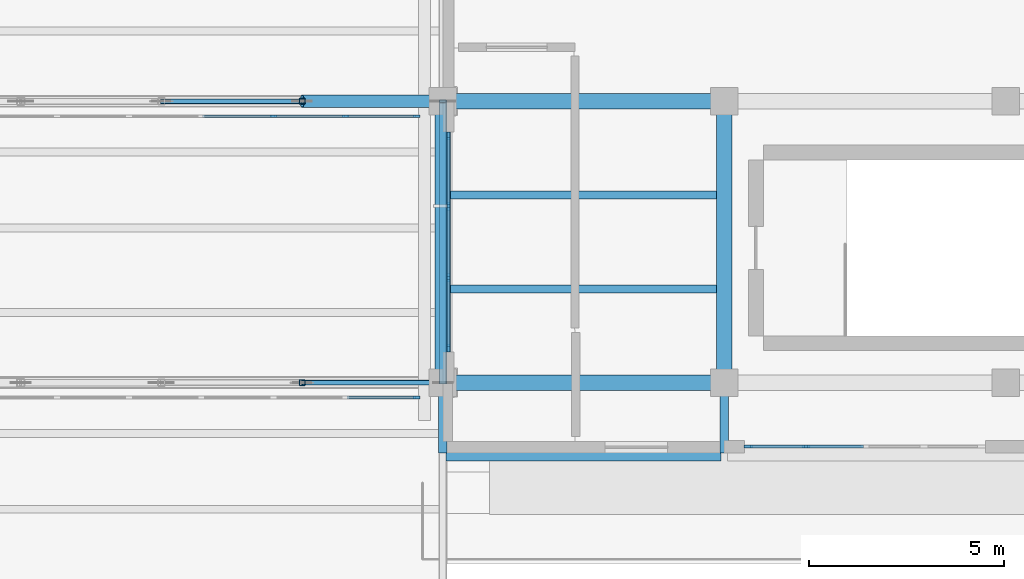
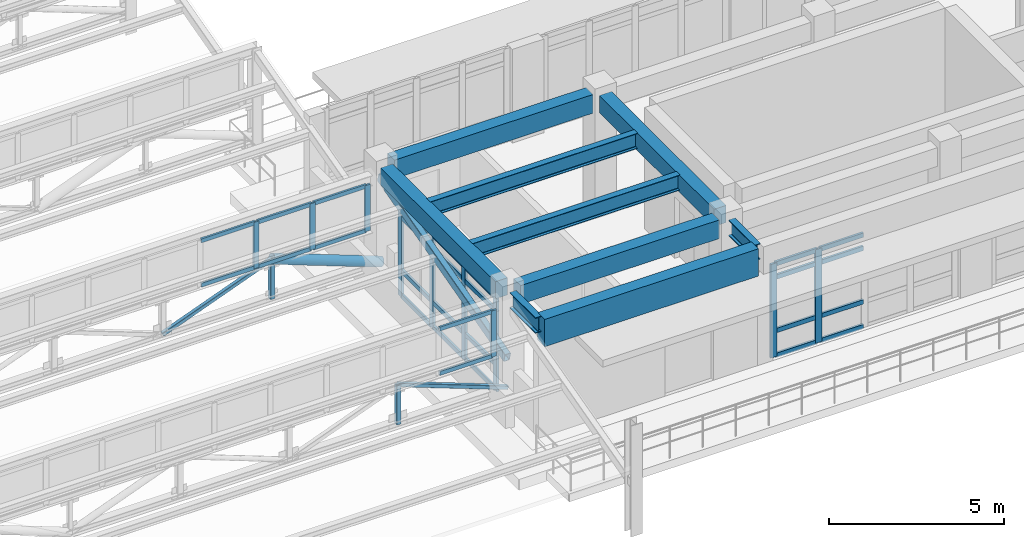
# One storey, part 7 of 55: 43 members, 10 beams, 4 elements without a shape of their own.
"""IFC4 building model written with IfcOpenShell, lengths in metres."""

from ifc_helpers import new_model, si_unit, direction, frame, origin, origin_2d, place, context, subcontext, project, spatial, rectangle, hollow_rectangle, hollow_circle, i_section, extrude, material, layer, layer_set, material_profile, profile_set, type_object, element, aggregate, save


model = new_model("IFC4")

# Units and contexts
model_context = context("Model", 3, precision=1e-05, world=origin(), true_north=direction((0.0, 1.0)))
body_context = subcontext(model_context, "Body", "Model", "MODEL_VIEW")
ifc_project = project(units=[si_unit("LENGTHUNIT", "METRE"), si_unit("AREAUNIT", "SQUARE_METRE"), si_unit("VOLUMEUNIT", "CUBIC_METRE"), si_unit("PLANEANGLEUNIT", "RADIAN"), si_unit("MASSUNIT", "GRAM", prefix="KILO")], contexts=[model_context])

# Site, building, storey
site_placement = place(None, origin())
site = spatial("IfcSite", under=ifc_project, at=site_placement, CompositionType="ELEMENT")
building_placement = place(site_placement, origin())
building = spatial("IfcBuilding", under=site, at=building_placement, Name="Solenvale Faculty of Natural Sciences", CompositionType="ELEMENT")
storey_placement = place(building_placement, frame((0.0, 0.0, 22.5)))
storey = spatial("IfcBuildingStorey", under=building, at=storey_placement, Name="L05", CompositionType="ELEMENT", Elevation=22.5)

# Beams
ifc_material_1 = material(Name="Steel S355", Category="steel")
ifc_material_profile_1 = material_profile(ifc_material_1, hollow_rectangle(XDim=0.202880859375, YDim=0.304931640625, WallThickness=0.0126953125, InnerFilletRadius=0.0126953125, OuterFilletRadius=0.025390625, at=origin_2d()), Name="HSS305x203x13")
ifc_profile_set_1 = profile_set([ifc_material_profile_1], Name="Steel S355")
beam_type_1 = type_object("IfcBeamType", Name="BM-RAF-HSS305", PredefinedType="BEAM", material=ifc_profile_set_1)
beam_1_placement = place(storey_placement, frame((57.60009765625, 21.60009765625, 1.719970703125), z_axis=(0.0, 0.965901991803, 0.258907980238), x_axis=(-1.0, 0.0, 0.0)))
element("IfcBeam", 1, at=beam_1_placement, inside=storey, type_object=beam_type_1, Name="V3 Sawtooth End Rafter 2.1.E", PredefinedType="BEAM", context=body_context, shape_type="SweptSolid", body=[
    extrude(hollow_rectangle(XDim=0.202880859375, YDim=0.304931640625, WallThickness=0.0126953125, InnerFilletRadius=0.0126953125, OuterFilletRadius=0.025390625, at=origin_2d()), origin(), (0.0, 0.0, 1.0), 7.4541015625),
])
ifc_material_2 = material(Name="Concrete 40 MPa", Category="concrete")
ifc_material_profile_2 = material_profile(ifc_material_2, rectangle(XDim=0.39990234375, YDim=0.60009765625, at=origin_2d()), Name="RC-BM-400x600")
ifc_profile_set_2 = profile_set([ifc_material_profile_2], Name="Concrete 40 MPa")
beam_type_2 = type_object("IfcBeamType", Name="BM-RC-400x600", PredefinedType="BEAM", material=ifc_profile_set_2)
for number, where, z_axis, x_axis, name in (
    (2, (57.60009765625, 21.929931640625, 3.919921875), (0.0, 1.0, 0.0), (-1.0, 0.0, 0.0), "L05 Y-Girder X57.6 (21.6..28.8)"),
    (3, (64.800048828125, 21.929931640625, 3.919921875), (0.0, 1.0, 0.0), (-1.0, 0.0, 0.0), "L05 Y-Girder X64.8 (21.6..28.8)"),
):
    element("IfcBeam", number, at=place(storey_placement, frame(where, z_axis=z_axis, x_axis=x_axis)), inside=storey, type_object=beam_type_2, Name=name, PredefinedType="BEAM", context=body_context, shape_type="SweptSolid", body=[
        extrude(rectangle(XDim=0.39990234375, YDim=0.60009765625, at=origin_2d()), origin(), (0.0, 0.0, 1.0), 6.5400390625),
    ])
ifc_material_profile_3 = material_profile(ifc_material_2, rectangle(XDim=0.39990234375, YDim=0.64990234375, at=origin_2d()), Name="RC-BM-400x650")
ifc_profile_set_3 = profile_set([ifc_material_profile_3], Name="Concrete 40 MPa")
beam_type_3 = type_object("IfcBeamType", Name="BM-RC-400x650", PredefinedType="BEAM", material=ifc_profile_set_3)
for number, where, z_axis, x_axis, name in (
    (4, (57.929931640625, 21.60009765625, 3.89501953125), (1.0, 0.0, 0.0), (0.0, 1.0, 0.0), "L05 X-Girder Y21.6 (57.6..64.8)"),
    (5, (57.929931640625, 28.800048828125, 3.89501953125), (1.0, 0.0, 0.0), (0.0, 1.0, 0.0), "L05 X-Girder Y28.8 (57.6..64.8)"),
):
    element("IfcBeam", number, at=place(storey_placement, frame(where, z_axis=z_axis, x_axis=x_axis)), inside=storey, type_object=beam_type_3, Name=name, PredefinedType="BEAM", context=body_context, shape_type="SweptSolid", body=[
        extrude(rectangle(XDim=0.39990234375, YDim=0.64990234375, at=origin_2d()), origin(), (0.0, 0.0, 1.0), 6.5400390625),
    ])
ifc_material_3 = material(Name="Architectural bronze concrete 40 MPa", Category="concrete")
ifc_material_profile_4 = material_profile(ifc_material_3, rectangle(XDim=0.39990234375, YDim=0.949951171875, at=origin_2d()), Name="RC-SPN-400x950")
ifc_profile_set_4 = profile_set([ifc_material_profile_4], Name="Architectural bronze concrete 40 MPa")
beam_type_4 = type_object("IfcBeamType", Name="BM-SPN-BRZ-950", PredefinedType="SPANDREL", material=ifc_profile_set_4)
beam_2_placement = place(storey_placement, frame((57.679931640625, 19.800048828125, 3.7451171875), z_axis=(1.0, 0.0, 0.0), x_axis=(0.0, 1.0, 0.0)))
element("IfcBeam", 6, at=beam_2_placement, inside=storey, type_object=beam_type_4, Name="L06 Sliding-Tray South Bronze Fascia 1", PredefinedType="SPANDREL", context=body_context, shape_type="SweptSolid", body=[
    extrude(rectangle(XDim=0.39990234375, YDim=0.949951171875, at=origin_2d()), origin(), (0.0, 0.0, 1.0), 7.0400390625),
])
ifc_material_profile_5 = material_profile(ifc_material_1, i_section(OverallWidth=0.2119140625, OverallDepth=0.5439453125, WebThickness=0.01318359375, FlangeThickness=0.021240234375, FilletRadius=0.01904296875, at=origin_2d()), Name="W530x123")
ifc_profile_set_5 = profile_set([ifc_material_profile_5], Name="Steel S355")
beam_type_5 = type_object("IfcBeamType", Name="BM-STL-W530x123", PredefinedType="BEAM", material=ifc_profile_set_5)
for number, where, z_axis, x_axis, name in (
    (7, (64.800048828125, 21.27001953125, 3.947998046875), (0.0, -1.0, 0.0), (1.0, 0.0, 0.0), "L05 V4 Cantilever Tray Girder X64.8"),
    (8, (57.60009765625, 21.27001953125, 3.947998046875), (0.0, -1.0, 0.0), (1.0, 0.0, 0.0), "L05 V4 Cantilever Tray Girder X57.6"),
):
    element("IfcBeam", number, at=place(storey_placement, frame(where, z_axis=z_axis, x_axis=x_axis)), inside=storey, type_object=beam_type_5, Name=name, PredefinedType="BEAM", context=body_context, shape_type="SweptSolid", body=[
        extrude(i_section(OverallWidth=0.2119140625, OverallDepth=0.5439453125, WebThickness=0.01318359375, FlangeThickness=0.021240234375, FilletRadius=0.01904296875, at=origin_2d()), origin(), (0.0, 0.0, 1.0), 1.469970703125),
    ])
ifc_material_profile_6 = material_profile(ifc_material_1, i_section(OverallWidth=0.208984375, OverallDepth=0.532958984375, WebThickness=0.01025390625, FlangeThickness=0.015625, FilletRadius=0.01904296875, at=origin_2d()), Name="W530x92")
ifc_profile_set_6 = profile_set([ifc_material_profile_6], Name="Steel S355")
beam_type_6 = type_object("IfcBeamType", Name="BM-STL-W530x92", PredefinedType="JOIST", material=ifc_profile_set_6)
for number, where, z_axis, x_axis, name in (
    (9, (57.780029296875, 24.0, 3.95361328125), (1.0, 0.0, 0.0), (0.0, 1.0, 0.0), "L05 Composite Floor Joist (9,4).1"),
    (10, (57.780029296875, 26.39990234375, 3.95361328125), (1.0, 0.0, 0.0), (0.0, 1.0, 0.0), "L05 Composite Floor Joist (9,4).2"),
):
    element("IfcBeam", number, at=place(storey_placement, frame(where, z_axis=z_axis, x_axis=x_axis)), inside=storey, type_object=beam_type_6, Name=name, PredefinedType="JOIST", context=body_context, shape_type="SweptSolid", body=[
        extrude(i_section(OverallWidth=0.208984375, OverallDepth=0.532958984375, WebThickness=0.01025390625, FlangeThickness=0.015625, FilletRadius=0.01904296875, at=origin_2d()), origin(), (0.0, 0.0, 1.0), 6.840087890625),
    ])

# Curtain wall, member
ifc_material_4 = material(Name="Anodised bronze aluminium", Category="aluminium")
ifc_layer_1 = layer(ifc_material_4, 0.1650390625)
ifc_layer_set_1 = layer_set([ifc_layer_1], Name="Anodised bronze aluminium")
curtain_wall_type_1 = type_object("IfcCurtainWallType", Name="CW-SAW-CLR", PredefinedType="USERDEFINED", material=ifc_layer_set_1)
curtain_wall_1_placement = place(storey_placement, origin())
curtain_wall_1 = element("IfcCurtainWall", 11, at=curtain_wall_1_placement, inside=storey, type_object=curtain_wall_type_1, Name="L05 Curtain Wall SAW-V3-CW-1-1", ObjectType="NORTH LIGHT CLERESTORY", PredefinedType="USERDEFINED")
ifc_material_profile_7 = material_profile(ifc_material_4, rectangle(XDim=0.06494140625, YDim=0.175048828125, at=origin_2d()), Name="ALU-MUL-65x175")
ifc_profile_set_7 = profile_set([ifc_material_profile_7], Name="Anodised bronze aluminium")
member_type_1 = type_object("IfcMemberType", Name="CWM-ALU-65x175", PredefinedType="MULLION", material=ifc_profile_set_7)
member_1_placement = place(storey_placement, frame((56.927490234375, 21.219970703125, 2.22998046875), z_axis=(0.0, 0.0, 1.0), x_axis=(0.0, -1.0, 0.0)))
member_1 = element("IfcMember", 12, at=member_1_placement, type_object=member_type_1, Name="CW-05 mullion 1", PredefinedType="MULLION", context=body_context, shape_type="SweptSolid", body=[
    extrude(rectangle(XDim=0.06494140625, YDim=0.175048828125, at=origin_2d()), origin(), (0.0, 0.0, 1.0), 1.610107421875),
])

# Curtain wall, members
curtain_wall_2_placement = place(storey_placement, origin())
curtain_wall_2 = element("IfcCurtainWall", 13, at=curtain_wall_2_placement, inside=storey, type_object=curtain_wall_type_1, Name="L05 Curtain Wall SAW-V3-CW-2-1", ObjectType="NORTH LIGHT CLERESTORY", PredefinedType="USERDEFINED")
member_2_placement = place(storey_placement, frame((56.927490234375, 28.419921875, 2.22998046875), z_axis=(0.0, 0.0, 1.0), x_axis=(0.0, -1.0, 0.0)))
member_2 = element("IfcMember", 14, at=member_2_placement, type_object=member_type_1, Name="CW-05 mullion 1", PredefinedType="MULLION", context=body_context, shape_type="SweptSolid", body=[
    extrude(rectangle(XDim=0.06494140625, YDim=0.175048828125, at=origin_2d()), origin(), (0.0, 0.0, 1.0), 1.610107421875),
])
member_3_placement = place(storey_placement, frame((55.11279296875, 28.419921875, 2.22998046875), z_axis=(0.0, 0.0, 1.0), x_axis=(0.0, -1.0, 0.0)))
member_3 = element("IfcMember", 15, at=member_3_placement, type_object=member_type_1, Name="CW-05 mullion 2", PredefinedType="MULLION", context=body_context, shape_type="SweptSolid", body=[
    extrude(rectangle(XDim=0.06494140625, YDim=0.175048828125, at=origin_2d()), origin(), (0.0, 0.0, 1.0), 1.610107421875),
])
member_4_placement = place(storey_placement, frame((53.265380859375, 28.419921875, 2.22998046875), z_axis=(0.0, 0.0, 1.0), x_axis=(0.0, -1.0, 0.0)))
member_4 = element("IfcMember", 16, at=member_4_placement, type_object=member_type_1, Name="CW-05 mullion 3", PredefinedType="MULLION", context=body_context, shape_type="SweptSolid", body=[
    extrude(rectangle(XDim=0.06494140625, YDim=0.175048828125, at=origin_2d()), origin(), (0.0, 0.0, 1.0), 1.610107421875),
])

ifc_layer_2 = layer(ifc_material_4, 0.215087890625)
ifc_layer_set_2 = layer_set([ifc_layer_2], Name="Anodised bronze aluminium")
curtain_wall_type_2 = type_object("IfcCurtainWallType", Name="CW-ATR-UNIT", PredefinedType="USERDEFINED", material=ifc_layer_set_2)
curtain_wall_3_placement = place(storey_placement, origin())
curtain_wall_3 = element("IfcCurtainWall", 17, at=curtain_wall_3_placement, inside=storey, type_object=curtain_wall_type_2, Name="L05 Curtain Wall CW-L05-P1-E3-B2", ObjectType="UNITISED CURTAIN WALL", PredefinedType="USERDEFINED")
ifc_material_profile_8 = material_profile(ifc_material_4, rectangle(XDim=0.074951171875, YDim=0.2099609375, at=origin_2d()), Name="ALU-MUL-75x210")
ifc_profile_set_8 = profile_set([ifc_material_profile_8], Name="Anodised bronze aluminium")
member_type_2 = type_object("IfcMemberType", Name="CWM-ALU-75x210", PredefinedType="MULLION", material=ifc_profile_set_8)
member_5_placement = place(storey_placement, frame((57.742431640625, 27.91259765625, 0.0), z_axis=(0.0, 0.0, 1.0), x_axis=(1.0, 0.0, 0.0)))
member_5 = element("IfcMember", 18, at=member_5_placement, type_object=member_type_2, Name="CW-01 mullion 1", PredefinedType="MULLION", context=body_context, shape_type="SweptSolid", body=[
    extrude(rectangle(XDim=0.074951171875, YDim=0.2099609375, at=origin_2d()), origin(), (0.0, 0.0, 1.0), 3.260009765625),
])
member_6_placement = place(storey_placement, frame((57.742431640625, 26.11669921875, 0.0), z_axis=(0.0, 0.0, 1.0), x_axis=(1.0, 0.0, 0.0)))
member_6 = element("IfcMember", 19, at=member_6_placement, type_object=member_type_2, Name="CW-01 mullion 2", PredefinedType="MULLION", context=body_context, shape_type="SweptSolid", body=[
    extrude(rectangle(XDim=0.074951171875, YDim=0.2099609375, at=origin_2d()), origin(), (0.0, 0.0, 1.0), 3.260009765625),
])
member_7_placement = place(storey_placement, frame((57.742431640625, 24.283447265625, 0.0), z_axis=(0.0, 0.0, 1.0), x_axis=(1.0, 0.0, 0.0)))
member_7 = element("IfcMember", 20, at=member_7_placement, type_object=member_type_2, Name="CW-01 mullion 3", PredefinedType="MULLION", context=body_context, shape_type="SweptSolid", body=[
    extrude(rectangle(XDim=0.074951171875, YDim=0.2099609375, at=origin_2d()), origin(), (0.0, 0.0, 1.0), 3.260009765625),
])
member_8_placement = place(storey_placement, frame((57.742431640625, 22.487548828125, 0.0), z_axis=(0.0, 0.0, 1.0), x_axis=(1.0, 0.0, 0.0)))
member_8 = element("IfcMember", 21, at=member_8_placement, type_object=member_type_2, Name="CW-01 mullion 4", PredefinedType="MULLION", context=body_context, shape_type="SweptSolid", body=[
    extrude(rectangle(XDim=0.074951171875, YDim=0.2099609375, at=origin_2d()), origin(), (0.0, 0.0, 1.0), 3.260009765625),
])

ifc_layer_3 = layer(ifc_material_4, 0.18994140625)
ifc_layer_set_3 = layer_set([ifc_layer_3], Name="Anodised bronze aluminium")
curtain_wall_type_3 = type_object("IfcCurtainWallType", Name="CW-TRAY-REC", PredefinedType="USERDEFINED", material=ifc_layer_set_3)
curtain_wall_4_placement = place(storey_placement, origin())
curtain_wall_4 = element("IfcCurtainWall", 22, at=curtain_wall_4_placement, inside=storey, type_object=curtain_wall_type_3, Name="L05 Curtain Wall CW-L05-P1-E4-B2", ObjectType="UNITISED CURTAIN WALL", PredefinedType="USERDEFINED")
member_9_placement = place(storey_placement, frame((65.41748046875, 19.96240234375, 0.0), z_axis=(0.0, 0.0, 1.0), x_axis=(0.0, 1.0, 0.0)))
member_9 = element("IfcMember", 23, at=member_9_placement, type_object=member_type_2, Name="CW-02 mullion 1", PredefinedType="MULLION", context=body_context, shape_type="SweptSolid", body=[
    extrude(rectangle(XDim=0.074951171875, YDim=0.2099609375, at=origin_2d()), origin(), (0.0, 0.0, 1.0), 3.260009765625),
])
member_10_placement = place(storey_placement, frame((66.889892578125, 19.96240234375, 0.0), z_axis=(0.0, 0.0, 1.0), x_axis=(0.0, 1.0, 0.0)))
member_10 = element("IfcMember", 24, at=member_10_placement, type_object=member_type_2, Name="CW-02 mullion 2", PredefinedType="MULLION", context=body_context, shape_type="SweptSolid", body=[
    extrude(rectangle(XDim=0.074951171875, YDim=0.2099609375, at=origin_2d()), origin(), (0.0, 0.0, 1.0), 3.260009765625),
])

# Member
ifc_material_profile_9 = material_profile(ifc_material_4, rectangle(XDim=0.06494140625, YDim=0.135009765625, at=origin_2d()), Name="ALU-TRN-65x135")
ifc_profile_set_9 = profile_set([ifc_material_profile_9], Name="Anodised bronze aluminium")
member_type_3 = type_object("IfcMemberType", Name="CWT-ALU-65x135", PredefinedType="USERDEFINED", material=ifc_profile_set_9)
member_11_placement = place(storey_placement, frame((56.89501953125, 21.219970703125, 2.262451171875), z_axis=(-1.0, 0.0, 0.0), x_axis=(0.0, -1.0, 0.0)))
member_11 = element("IfcMember", 25, at=member_11_placement, type_object=member_type_3, Name="CW-05 transom 1.1", ObjectType="TRANSOM", PredefinedType="USERDEFINED", context=body_context, shape_type="SweptSolid", body=[
    extrude(rectangle(XDim=0.06494140625, YDim=0.135009765625, at=origin_2d()), origin(), (0.0, 0.0, 1.0), 1.749755859375),
])

member_12_placement = place(storey_placement, frame((56.89501953125, 21.219970703125, 3.8076171875), z_axis=(-1.0, 0.0, 0.0), x_axis=(0.0, -1.0, 0.0)))
member_12 = element("IfcMember", 26, at=member_12_placement, type_object=member_type_3, Name="CW-05 transom 1.2", ObjectType="TRANSOM", PredefinedType="USERDEFINED", context=body_context, shape_type="SweptSolid", body=[
    extrude(rectangle(XDim=0.06494140625, YDim=0.135009765625, at=origin_2d()), origin(), (0.0, 0.0, 1.0), 1.749755859375),
])

aggregate(curtain_wall_1, [member_1, member_11, member_12])

member_13_placement = place(storey_placement, frame((56.89501953125, 28.419921875, 2.262451171875), z_axis=(-1.0, 0.0, 0.0), x_axis=(0.0, -1.0, 0.0)))
member_13 = element("IfcMember", 27, at=member_13_placement, type_object=member_type_3, Name="CW-05 transom 1.1", ObjectType="TRANSOM", PredefinedType="USERDEFINED", context=body_context, shape_type="SweptSolid", body=[
    extrude(rectangle(XDim=0.06494140625, YDim=0.135009765625, at=origin_2d()), origin(), (0.0, 0.0, 1.0), 1.749755859375),
])

member_14_placement = place(storey_placement, frame((56.89501953125, 28.419921875, 3.8076171875), z_axis=(-1.0, 0.0, 0.0), x_axis=(0.0, -1.0, 0.0)))
member_14 = element("IfcMember", 28, at=member_14_placement, type_object=member_type_3, Name="CW-05 transom 1.2", ObjectType="TRANSOM", PredefinedType="USERDEFINED", context=body_context, shape_type="SweptSolid", body=[
    extrude(rectangle(XDim=0.06494140625, YDim=0.135009765625, at=origin_2d()), origin(), (0.0, 0.0, 1.0), 1.749755859375),
])

member_15_placement = place(storey_placement, frame((55.080322265625, 28.419921875, 2.262451171875), z_axis=(-1.0, 0.0, 0.0), x_axis=(0.0, -1.0, 0.0)))
member_15 = element("IfcMember", 29, at=member_15_placement, type_object=member_type_3, Name="CW-05 transom 2.1", ObjectType="TRANSOM", PredefinedType="USERDEFINED", context=body_context, shape_type="SweptSolid", body=[
    extrude(rectangle(XDim=0.06494140625, YDim=0.135009765625, at=origin_2d()), origin(), (0.0, 0.0, 1.0), 1.782470703125),
])

member_16_placement = place(storey_placement, frame((55.080322265625, 28.419921875, 3.8076171875), z_axis=(-1.0, 0.0, 0.0), x_axis=(0.0, -1.0, 0.0)))
member_16 = element("IfcMember", 30, at=member_16_placement, type_object=member_type_3, Name="CW-05 transom 2.2", ObjectType="TRANSOM", PredefinedType="USERDEFINED", context=body_context, shape_type="SweptSolid", body=[
    extrude(rectangle(XDim=0.06494140625, YDim=0.135009765625, at=origin_2d()), origin(), (0.0, 0.0, 1.0), 1.782470703125),
])

member_17_placement = place(storey_placement, frame((53.23291015625, 28.419921875, 2.262451171875), z_axis=(-1.0, 0.0, 0.0), x_axis=(0.0, -1.0, 0.0)))
member_17 = element("IfcMember", 31, at=member_17_placement, type_object=member_type_3, Name="CW-05 transom 3.1", ObjectType="TRANSOM", PredefinedType="USERDEFINED", context=body_context, shape_type="SweptSolid", body=[
    extrude(rectangle(XDim=0.06494140625, YDim=0.135009765625, at=origin_2d()), origin(), (0.0, 0.0, 1.0), 1.7822265625),
])

member_18_placement = place(storey_placement, frame((53.23291015625, 28.419921875, 3.8076171875), z_axis=(-1.0, 0.0, 0.0), x_axis=(0.0, -1.0, 0.0)))
member_18 = element("IfcMember", 32, at=member_18_placement, type_object=member_type_3, Name="CW-05 transom 3.2", ObjectType="TRANSOM", PredefinedType="USERDEFINED", context=body_context, shape_type="SweptSolid", body=[
    extrude(rectangle(XDim=0.06494140625, YDim=0.135009765625, at=origin_2d()), origin(), (0.0, 0.0, 1.0), 1.7822265625),
])

aggregate(curtain_wall_2, [member_2, member_3, member_4, member_13, member_14, member_15, member_16, member_17, member_18])

ifc_material_profile_10 = material_profile(ifc_material_4, rectangle(XDim=0.074951171875, YDim=0.155029296875, at=origin_2d()), Name="ALU-TRN-75x155")
ifc_profile_set_10 = profile_set([ifc_material_profile_10], Name="Anodised bronze aluminium")
member_type_4 = type_object("IfcMemberType", Name="CWT-ALU-75x155", PredefinedType="USERDEFINED", material=ifc_profile_set_10)
member_19_placement = place(storey_placement, frame((57.742431640625, 27.875, 0.03759765625), z_axis=(0.0, -1.0, 0.0), x_axis=(1.0, 0.0, 0.0)))
member_19 = element("IfcMember", 33, at=member_19_placement, type_object=member_type_4, Name="CW-01 transom 1.1", ObjectType="TRANSOM", PredefinedType="USERDEFINED", context=body_context, shape_type="SweptSolid", body=[
    extrude(rectangle(XDim=0.074951171875, YDim=0.155029296875, at=origin_2d()), origin(), (0.0, 0.0, 1.0), 1.720947265625),
])

member_20_placement = place(storey_placement, frame((57.742431640625, 27.875, 0.89990234375), z_axis=(0.0, -1.0, 0.0), x_axis=(1.0, 0.0, 0.0)))
member_20 = element("IfcMember", 34, at=member_20_placement, type_object=member_type_4, Name="CW-01 transom 1.2", ObjectType="TRANSOM", PredefinedType="USERDEFINED", context=body_context, shape_type="SweptSolid", body=[
    extrude(rectangle(XDim=0.074951171875, YDim=0.155029296875, at=origin_2d()), origin(), (0.0, 0.0, 1.0), 1.720947265625),
])

member_21_placement = place(storey_placement, frame((57.742431640625, 27.875, 2.760009765625), z_axis=(0.0, -1.0, 0.0), x_axis=(1.0, 0.0, 0.0)))
member_21 = element("IfcMember", 35, at=member_21_placement, type_object=member_type_4, Name="CW-01 transom 1.3", ObjectType="TRANSOM", PredefinedType="USERDEFINED", context=body_context, shape_type="SweptSolid", body=[
    extrude(rectangle(XDim=0.074951171875, YDim=0.155029296875, at=origin_2d()), origin(), (0.0, 0.0, 1.0), 1.720947265625),
])

member_22_placement = place(storey_placement, frame((57.742431640625, 27.875, 3.222412109375), z_axis=(0.0, -1.0, 0.0), x_axis=(1.0, 0.0, 0.0)))
member_22 = element("IfcMember", 36, at=member_22_placement, type_object=member_type_4, Name="CW-01 transom 1.4", ObjectType="TRANSOM", PredefinedType="USERDEFINED", context=body_context, shape_type="SweptSolid", body=[
    extrude(rectangle(XDim=0.074951171875, YDim=0.155029296875, at=origin_2d()), origin(), (0.0, 0.0, 1.0), 1.720947265625),
])

member_23_placement = place(storey_placement, frame((57.742431640625, 26.0791015625, 0.03759765625), z_axis=(0.0, -1.0, 0.0), x_axis=(1.0, 0.0, 0.0)))
member_23 = element("IfcMember", 37, at=member_23_placement, type_object=member_type_4, Name="CW-01 transom 2.1", ObjectType="TRANSOM", PredefinedType="USERDEFINED", context=body_context, shape_type="SweptSolid", body=[
    extrude(rectangle(XDim=0.074951171875, YDim=0.155029296875, at=origin_2d()), origin(), (0.0, 0.0, 1.0), 1.75830078125),
])

member_24_placement = place(storey_placement, frame((57.742431640625, 26.0791015625, 0.89990234375), z_axis=(0.0, -1.0, 0.0), x_axis=(1.0, 0.0, 0.0)))
member_24 = element("IfcMember", 38, at=member_24_placement, type_object=member_type_4, Name="CW-01 transom 2.2", ObjectType="TRANSOM", PredefinedType="USERDEFINED", context=body_context, shape_type="SweptSolid", body=[
    extrude(rectangle(XDim=0.074951171875, YDim=0.155029296875, at=origin_2d()), origin(), (0.0, 0.0, 1.0), 1.75830078125),
])

member_25_placement = place(storey_placement, frame((57.742431640625, 26.0791015625, 2.760009765625), z_axis=(0.0, -1.0, 0.0), x_axis=(1.0, 0.0, 0.0)))
member_25 = element("IfcMember", 39, at=member_25_placement, type_object=member_type_4, Name="CW-01 transom 2.3", ObjectType="TRANSOM", PredefinedType="USERDEFINED", context=body_context, shape_type="SweptSolid", body=[
    extrude(rectangle(XDim=0.074951171875, YDim=0.155029296875, at=origin_2d()), origin(), (0.0, 0.0, 1.0), 1.75830078125),
])

member_26_placement = place(storey_placement, frame((57.742431640625, 26.0791015625, 3.222412109375), z_axis=(0.0, -1.0, 0.0), x_axis=(1.0, 0.0, 0.0)))
member_26 = element("IfcMember", 40, at=member_26_placement, type_object=member_type_4, Name="CW-01 transom 2.4", ObjectType="TRANSOM", PredefinedType="USERDEFINED", context=body_context, shape_type="SweptSolid", body=[
    extrude(rectangle(XDim=0.074951171875, YDim=0.155029296875, at=origin_2d()), origin(), (0.0, 0.0, 1.0), 1.75830078125),
])

member_27_placement = place(storey_placement, frame((57.742431640625, 24.245849609375, 0.03759765625), z_axis=(0.0, -1.0, 0.0), x_axis=(1.0, 0.0, 0.0)))
member_27 = element("IfcMember", 41, at=member_27_placement, type_object=member_type_4, Name="CW-01 transom 3.1", ObjectType="TRANSOM", PredefinedType="USERDEFINED", context=body_context, shape_type="SweptSolid", body=[
    extrude(rectangle(XDim=0.074951171875, YDim=0.155029296875, at=origin_2d()), origin(), (0.0, 0.0, 1.0), 1.720947265625),
])

member_28_placement = place(storey_placement, frame((57.742431640625, 24.245849609375, 0.89990234375), z_axis=(0.0, -1.0, 0.0), x_axis=(1.0, 0.0, 0.0)))
member_28 = element("IfcMember", 42, at=member_28_placement, type_object=member_type_4, Name="CW-01 transom 3.2", ObjectType="TRANSOM", PredefinedType="USERDEFINED", context=body_context, shape_type="SweptSolid", body=[
    extrude(rectangle(XDim=0.074951171875, YDim=0.155029296875, at=origin_2d()), origin(), (0.0, 0.0, 1.0), 1.720947265625),
])

member_29_placement = place(storey_placement, frame((57.742431640625, 24.245849609375, 2.760009765625), z_axis=(0.0, -1.0, 0.0), x_axis=(1.0, 0.0, 0.0)))
member_29 = element("IfcMember", 43, at=member_29_placement, type_object=member_type_4, Name="CW-01 transom 3.3", ObjectType="TRANSOM", PredefinedType="USERDEFINED", context=body_context, shape_type="SweptSolid", body=[
    extrude(rectangle(XDim=0.074951171875, YDim=0.155029296875, at=origin_2d()), origin(), (0.0, 0.0, 1.0), 1.720947265625),
])

member_30_placement = place(storey_placement, frame((57.742431640625, 24.245849609375, 3.222412109375), z_axis=(0.0, -1.0, 0.0), x_axis=(1.0, 0.0, 0.0)))
member_30 = element("IfcMember", 44, at=member_30_placement, type_object=member_type_4, Name="CW-01 transom 3.4", ObjectType="TRANSOM", PredefinedType="USERDEFINED", context=body_context, shape_type="SweptSolid", body=[
    extrude(rectangle(XDim=0.074951171875, YDim=0.155029296875, at=origin_2d()), origin(), (0.0, 0.0, 1.0), 1.720947265625),
])

aggregate(curtain_wall_3, [member_5, member_6, member_7, member_8, member_19, member_20, member_21, member_22, member_23, member_24, member_25, member_26, member_27, member_28, member_29, member_30])

member_31_placement = place(storey_placement, frame((65.455078125, 19.96240234375, 0.03759765625), z_axis=(1.0, 0.0, 0.0), x_axis=(0.0, 1.0, 0.0)))
member_31 = element("IfcMember", 45, at=member_31_placement, type_object=member_type_4, Name="CW-02 transom 1.1", ObjectType="TRANSOM", PredefinedType="USERDEFINED", context=body_context, shape_type="SweptSolid", body=[
    extrude(rectangle(XDim=0.074951171875, YDim=0.155029296875, at=origin_2d()), origin(), (0.0, 0.0, 1.0), 1.3974609375),
])

member_32_placement = place(storey_placement, frame((65.455078125, 19.96240234375, 0.89990234375), z_axis=(1.0, 0.0, 0.0), x_axis=(0.0, 1.0, 0.0)))
member_32 = element("IfcMember", 46, at=member_32_placement, type_object=member_type_4, Name="CW-02 transom 1.2", ObjectType="TRANSOM", PredefinedType="USERDEFINED", context=body_context, shape_type="SweptSolid", body=[
    extrude(rectangle(XDim=0.074951171875, YDim=0.155029296875, at=origin_2d()), origin(), (0.0, 0.0, 1.0), 1.3974609375),
])

member_33_placement = place(storey_placement, frame((65.455078125, 19.96240234375, 2.760009765625), z_axis=(1.0, 0.0, 0.0), x_axis=(0.0, 1.0, 0.0)))
member_33 = element("IfcMember", 47, at=member_33_placement, type_object=member_type_4, Name="CW-02 transom 1.3", ObjectType="TRANSOM", PredefinedType="USERDEFINED", context=body_context, shape_type="SweptSolid", body=[
    extrude(rectangle(XDim=0.074951171875, YDim=0.155029296875, at=origin_2d()), origin(), (0.0, 0.0, 1.0), 1.3974609375),
])

member_34_placement = place(storey_placement, frame((65.455078125, 19.96240234375, 3.222412109375), z_axis=(1.0, 0.0, 0.0), x_axis=(0.0, 1.0, 0.0)))
member_34 = element("IfcMember", 48, at=member_34_placement, type_object=member_type_4, Name="CW-02 transom 1.4", ObjectType="TRANSOM", PredefinedType="USERDEFINED", context=body_context, shape_type="SweptSolid", body=[
    extrude(rectangle(XDim=0.074951171875, YDim=0.155029296875, at=origin_2d()), origin(), (0.0, 0.0, 1.0), 1.3974609375),
])

member_35_placement = place(storey_placement, frame((66.927490234375, 19.96240234375, 0.03759765625), z_axis=(1.0, 0.0, 0.0), x_axis=(0.0, 1.0, 0.0)))
member_35 = element("IfcMember", 49, at=member_35_placement, type_object=member_type_4, Name="CW-02 transom 2.1", ObjectType="TRANSOM", PredefinedType="USERDEFINED", context=body_context, shape_type="SweptSolid", body=[
    extrude(rectangle(XDim=0.074951171875, YDim=0.155029296875, at=origin_2d()), origin(), (0.0, 0.0, 1.0), 1.43505859375),
])

member_36_placement = place(storey_placement, frame((66.927490234375, 19.96240234375, 0.89990234375), z_axis=(1.0, 0.0, 0.0), x_axis=(0.0, 1.0, 0.0)))
member_36 = element("IfcMember", 50, at=member_36_placement, type_object=member_type_4, Name="CW-02 transom 2.2", ObjectType="TRANSOM", PredefinedType="USERDEFINED", context=body_context, shape_type="SweptSolid", body=[
    extrude(rectangle(XDim=0.074951171875, YDim=0.155029296875, at=origin_2d()), origin(), (0.0, 0.0, 1.0), 1.43505859375),
])

member_37_placement = place(storey_placement, frame((66.927490234375, 19.96240234375, 2.760009765625), z_axis=(1.0, 0.0, 0.0), x_axis=(0.0, 1.0, 0.0)))
member_37 = element("IfcMember", 51, at=member_37_placement, type_object=member_type_4, Name="CW-02 transom 2.3", ObjectType="TRANSOM", PredefinedType="USERDEFINED", context=body_context, shape_type="SweptSolid", body=[
    extrude(rectangle(XDim=0.074951171875, YDim=0.155029296875, at=origin_2d()), origin(), (0.0, 0.0, 1.0), 1.43505859375),
])

member_38_placement = place(storey_placement, frame((66.927490234375, 19.96240234375, 3.222412109375), z_axis=(1.0, 0.0, 0.0), x_axis=(0.0, 1.0, 0.0)))
member_38 = element("IfcMember", 52, at=member_38_placement, type_object=member_type_4, Name="CW-02 transom 2.4", ObjectType="TRANSOM", PredefinedType="USERDEFINED", context=body_context, shape_type="SweptSolid", body=[
    extrude(rectangle(XDim=0.074951171875, YDim=0.155029296875, at=origin_2d()), origin(), (0.0, 0.0, 1.0), 1.43505859375),
])

aggregate(curtain_wall_4, [member_9, member_10, member_31, member_32, member_33, member_34, member_35, member_36, member_37, member_38])

# Members
ifc_material_profile_11 = material_profile(ifc_material_1, hollow_circle(Radius=0.161865234375, WallThickness=0.0126953125, at=origin_2d()), Name="HSS324x13")
ifc_profile_set_11 = profile_set([ifc_material_profile_11], Name="Steel S355")
member_type_5 = type_object("IfcMemberType", Name="MB-BRC-CHS324", PredefinedType="BRACE", material=ifc_profile_set_11)
member_39_placement = place(storey_placement, frame((54.0, 28.800048828125, 2.050048828125), z_axis=(0.935466034784, 0.0, -0.353416606522), x_axis=(0.0, 1.0, 0.0)))
element("IfcMember", 53, at=member_39_placement, inside=storey, type_object=member_type_5, Name="V3 Truss 2.1 Diagonal 6", PredefinedType="BRACE", context=body_context, shape_type="SweptSolid", body=[
    extrude(hollow_circle(Radius=0.161865234375, WallThickness=0.0126953125, at=origin_2d()), origin(), (0.0, 0.0, 1.0), 3.848388671875),
])
ifc_material_profile_12 = material_profile(ifc_material_1, hollow_rectangle(XDim=0.126953125, YDim=0.126953125, WallThickness=0.008056640625, InnerFilletRadius=0.008056640625, OuterFilletRadius=0.01611328125, at=origin_2d()), Name="HSS127x127x8.0")
ifc_profile_set_12 = profile_set([ifc_material_profile_12], Name="Steel S355")
member_type_6 = type_object("IfcMemberType", Name="MB-BRC-HSS127", PredefinedType="BRACE", material=ifc_profile_set_12)
for number, where, z_axis, x_axis, name in (
    (54, (54.0, 21.60009765625, 2.050048828125), (0.935466034784, 0.0, -0.353416606522), (0.0, 1.0, 0.0), "V3 Truss 1.1 Diagonal 6"),
    (55, (50.39990234375, 28.800048828125, 0.68994140625), (0.935466034784, 0.0, 0.353416606522), (0.0, 1.0, 0.0), "V3 Truss 2.1 Diagonal 5"),
):
    element("IfcMember", number, at=place(storey_placement, frame(where, z_axis=z_axis, x_axis=x_axis)), inside=storey, type_object=member_type_6, Name=name, PredefinedType="BRACE", context=body_context, shape_type="SweptSolid", body=[
        extrude(hollow_rectangle(XDim=0.126953125, YDim=0.126953125, WallThickness=0.008056640625, InnerFilletRadius=0.008056640625, OuterFilletRadius=0.01611328125, at=origin_2d()), origin(), (0.0, 0.0, 1.0), 3.848388671875),
    ])
ifc_material_profile_13 = material_profile(ifc_material_1, hollow_rectangle(XDim=0.152099609375, YDim=0.152099609375, WallThickness=0.009521484375, InnerFilletRadius=0.009521484375, OuterFilletRadius=0.01904296875, at=origin_2d()), Name="HSS152x152x9.5")
ifc_profile_set_13 = profile_set([ifc_material_profile_13], Name="Steel S355")
member_type_7 = type_object("IfcMemberType", Name="MB-STR-HSS152", PredefinedType="STRUT", material=ifc_profile_set_13)
for number, where, z_axis, x_axis, name in (
    (56, (54.0, 21.60009765625, 0.68994140625), (0.0, 0.0, 1.0), (1.0, 0.0, 0.0), "V3 Truss 1.1 Strut 5"),
    (57, (54.0, 28.800048828125, 0.68994140625), (0.0, 0.0, 1.0), (1.0, 0.0, 0.0), "V3 Truss 2.1 Strut 5"),
):
    element("IfcMember", number, at=place(storey_placement, frame(where, z_axis=z_axis, x_axis=x_axis)), inside=storey, type_object=member_type_7, Name=name, PredefinedType="STRUT", context=body_context, shape_type="SweptSolid", body=[
        extrude(hollow_rectangle(XDim=0.152099609375, YDim=0.152099609375, WallThickness=0.009521484375, InnerFilletRadius=0.009521484375, OuterFilletRadius=0.01904296875, at=origin_2d()), origin(), (0.0, 0.0, 1.0), 1.360107421875),
    ])

save(model, "model.ifc")
